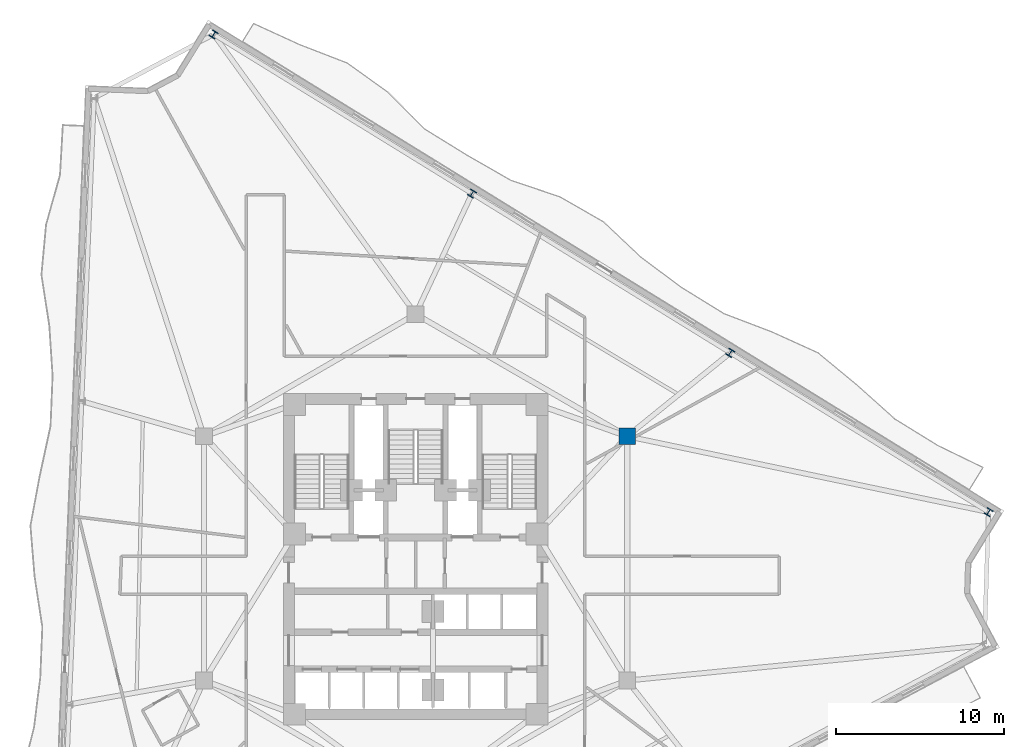
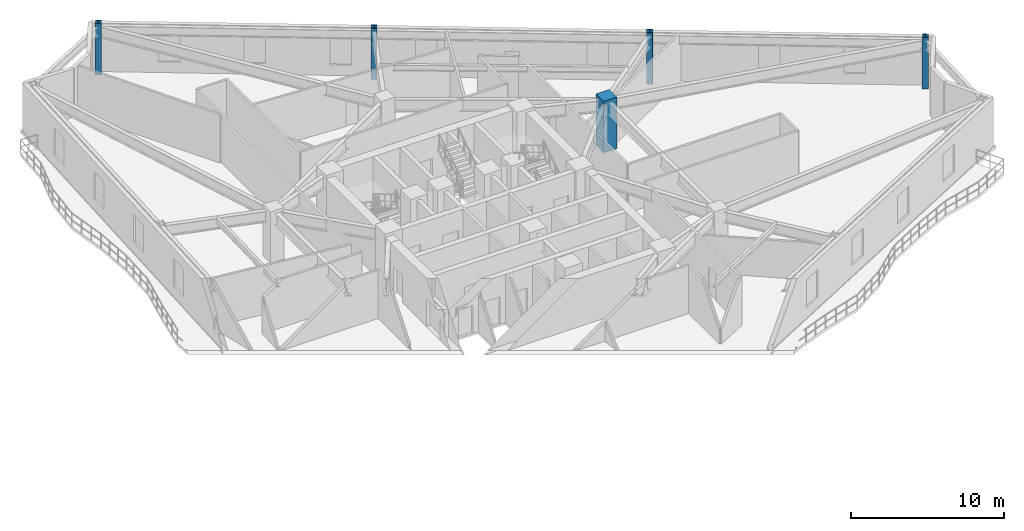
# One storey, part 2 of 12: 5 columns.
"""IFC4 building model written with IfcOpenShell, lengths in metres."""

from ifc_helpers import new_model, si_unit, direction, frame, origin, origin_2d, place, context, subcontext, project, spatial, rectangle, i_section, extrude, material, material_profile, profile_set, type_object, element, save


model = new_model("IFC4")

# Units and contexts
model_context = context("Model", 3, precision=1e-05, world=origin(), true_north=direction((0.0, 1.0)))
body_context = subcontext(model_context, "Body", "Model", "MODEL_VIEW")
ifc_project = project(units=[si_unit("LENGTHUNIT", "METRE"), si_unit("AREAUNIT", "SQUARE_METRE"), si_unit("VOLUMEUNIT", "CUBIC_METRE"), si_unit("PLANEANGLEUNIT", "RADIAN"), si_unit("MASSUNIT", "GRAM", prefix="KILO")], contexts=[model_context])

# Site, building, storey
site_placement = place(None, origin())
site = spatial("IfcSite", under=ifc_project, at=site_placement, CompositionType="ELEMENT")
building_placement = place(site_placement, origin())
building = spatial("IfcBuilding", under=site, at=building_placement, Name="Apsidion Concourse Tower", CompositionType="ELEMENT")
storey_placement = place(building_placement, frame((0.0, 0.0, 165.5)))
storey = spatial("IfcBuildingStorey", under=building, at=storey_placement, Name="L38", CompositionType="ELEMENT", Elevation=165.5)

# Columns
ifc_material_1 = material(Name="Concrete C50/60", Category="concrete")
ifc_material_profile_1 = material_profile(ifc_material_1, rectangle(XDim=1.0, YDim=1.0, at=origin_2d()), Name="RC 1000x1000")
ifc_profile_set_1 = profile_set([ifc_material_profile_1], Name="Concrete C50/60")
column_type_1 = type_object("IfcColumnType", Name="COL-RC-1000", PredefinedType="COLUMN", material=ifc_profile_set_1)
column_placement = place(storey_placement, frame((12.56005859375, 7.25, 0.0), z_axis=(0.0, 0.0, 1.0), x_axis=(1.0, 0.0, 0.0)))
element("IfcColumn", 1, at=column_placement, inside=storey, type_object=column_type_1, Name="L38 Interior Spine Column IC3", PredefinedType="COLUMN", context=body_context, shape_type="SweptSolid", body=[
    extrude(rectangle(XDim=1.0, YDim=1.0, at=origin_2d()), origin(), (0.0, 0.0, 1.0), 4.10009765625),
])
ifc_material_2 = material(Name="Structural steel ASTM A992 Grade 50", Category="steel")
ifc_material_profile_2 = material_profile(ifc_material_2, i_section(OverallWidth=0.406005859375, OverallDepth=0.4169921875, WebThickness=0.02978515625, FlangeThickness=0.048095703125, at=origin_2d()), Name="W14X257")
ifc_profile_set_2 = profile_set([ifc_material_profile_2], Name="Structural steel ASTM A992 Grade 50")
column_type_2 = type_object("IfcColumnType", Name="COL-W14-257", PredefinedType="COLUMN", material=ifc_profile_set_2)
for number, where, z_axis, x_axis, name in (
    (2, (34.010986328125, 2.751708984375, 0.0), (0.0, 0.0, 1.0), (-0.851269345923, 0.524728978323, 0.0), "L38 Rotated Perimeter Column PC09"),
    (3, (18.6787109375, 12.203369140625, 0.0), (0.0, 0.0, 1.0), (-0.851269345923, 0.524728978323, 0.0), "L38 Rotated Perimeter Column PC10"),
    (4, (3.346435546875, 21.655029296875, 0.0), (0.0, 0.0, 1.0), (-0.851269345923, 0.524728978323, 0.0), "L38 Rotated Perimeter Column PC11"),
    (5, (-11.98583984375, 31.106689453125, 0.0), (0.0, 0.0, 1.0), (-0.851269345923, 0.524728978323, 0.0), "L38 Rotated Perimeter Column PC12"),
):
    element("IfcColumn", number, at=place(storey_placement, frame(where, z_axis=z_axis, x_axis=x_axis)), inside=storey, type_object=column_type_2, Name=name, PredefinedType="COLUMN", context=body_context, shape_type="SweptSolid", body=[
        extrude(i_section(OverallWidth=0.406005859375, OverallDepth=0.4169921875, WebThickness=0.02978515625, FlangeThickness=0.048095703125, at=origin_2d()), origin(), (0.0, 0.0, 1.0), 4.10009765625),
    ])

save(model, "model.ifc")
